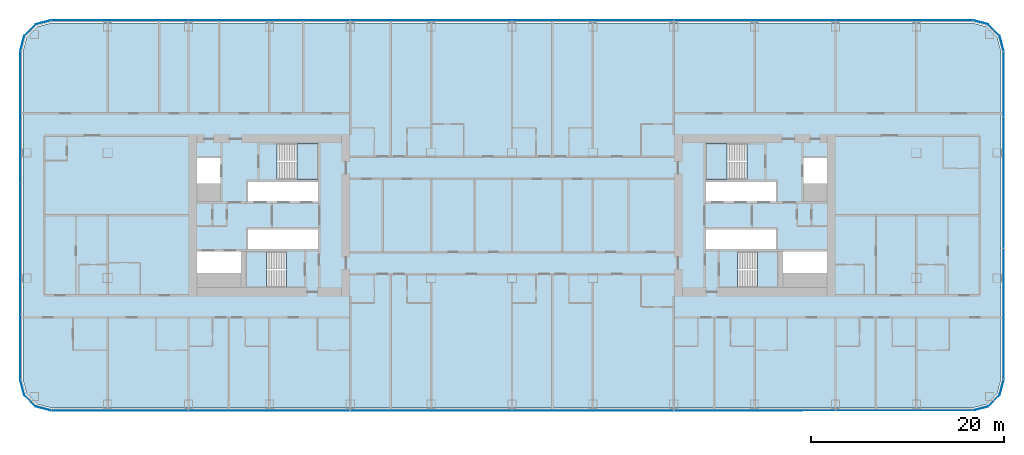
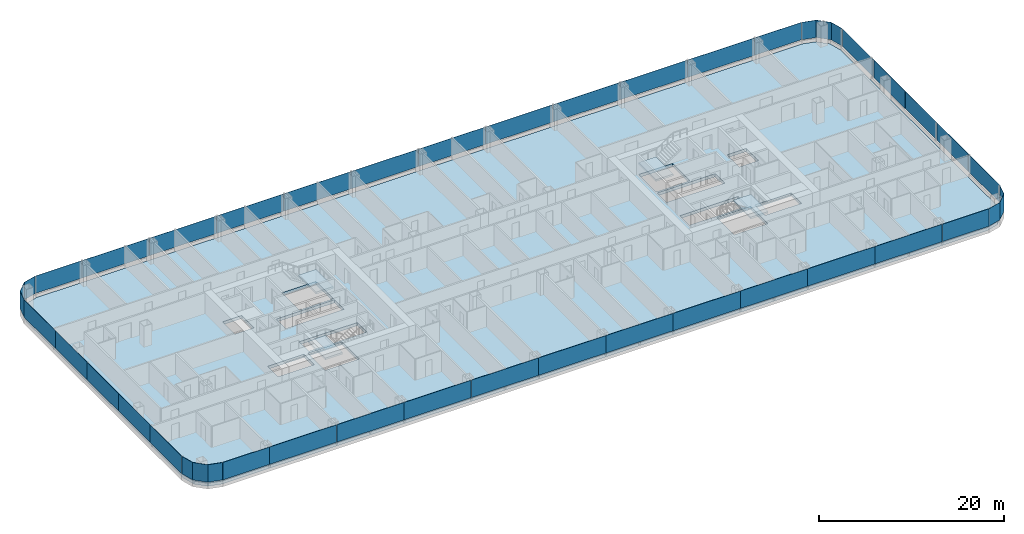
# One storey, part 12 of 29: 38 plates, 5 slabs, 12 elements without a shape of their own.
"""IFC4 building model written with IfcOpenShell, lengths in metres."""

from ifc_helpers import new_model, si_unit, direction, frame, origin, origin_2d, place, context, subcontext, project, spatial, polyline, rectangle, outline, extrude, material, layer, layer_set, type_object, element, aggregate, save


model = new_model("IFC4")

# Units and contexts
model_context = context("Model", 3, precision=1e-05, world=origin(), true_north=direction((0.0, 1.0)))
body_context = subcontext(model_context, "Body", "Model", "MODEL_VIEW")
ifc_project = project(units=[si_unit("LENGTHUNIT", "METRE"), si_unit("AREAUNIT", "SQUARE_METRE"), si_unit("VOLUMEUNIT", "CUBIC_METRE"), si_unit("PLANEANGLEUNIT", "RADIAN"), si_unit("MASSUNIT", "GRAM", prefix="KILO")], contexts=[model_context])

# Site, building, storey
site_placement = place(None, origin())
site = spatial("IfcSite", under=ifc_project, at=site_placement, CompositionType="ELEMENT")
building_placement = place(site_placement, origin())
building = spatial("IfcBuilding", under=site, at=building_placement, Name="Hakoniwa Tower and Hamabe Station Hall", CompositionType="ELEMENT")
storey_placement = place(building_placement, frame((0.0, 0.0, 29.39990234375)))
storey = spatial("IfcBuildingStorey", under=building, at=storey_placement, Name="L07", CompositionType="ELEMENT", Elevation=29.39990234375)

# Stair, slab
ifc_material_1 = material(Name="Concrete C40", Category="concrete")
stair_type = type_object("IfcStairType", Name="ESCAPE STAIR 1800", PredefinedType="HALF_TURN_STAIR", material=ifc_material_1)
stair_1_placement = place(storey_placement, origin())
stair_1 = element("IfcStair", 1, at=stair_1_placement, inside=storey, type_object=stair_type, Name="Escape stair ST-1 L07", PredefinedType="HALF_TURN_STAIR")
ifc_material_2 = material(Name="Concrete C40", Category="concrete")
ifc_layer_1 = layer(ifc_material_2, 0.25)
ifc_layer_set_1 = layer_set([ifc_layer_1], Name="CORE STAIR LANDING 250")
slab_type_1 = type_object("IfcSlabType", Name="CORE STAIR LANDING 250", PredefinedType="LANDING", material=ifc_layer_set_1)
slab_1_placement = place(storey_placement, frame((0.0, 0.0, 1.35009765625)))
slab_1 = element("IfcSlab", 2, at=slab_1_placement, type_object=slab_type_1, Name="ST-1 landing 1", PredefinedType="LANDING", context=body_context, shape_type="SweptSolid", body=[
    extrude(outline(polyline([(-22.320068359375, 3.75), (-20.14990234375, 3.75), (-20.14990234375, 7.5), (-22.320068359375, 7.5), (-22.320068359375, 3.75)])), origin(), (0.0, 0.0, 1.0), 0.25),
])
aggregate(stair_1, [slab_1])

stair_2_placement = place(storey_placement, origin())
stair_2 = element("IfcStair", 3, at=stair_2_placement, inside=storey, type_object=stair_type, Name="Escape stair ST-2 L07", PredefinedType="HALF_TURN_STAIR")
slab_2_placement = place(storey_placement, frame((0.0, 0.0, 1.35009765625)))
slab_2 = element("IfcSlab", 4, at=slab_2_placement, type_object=slab_type_1, Name="ST-2 landing 1", PredefinedType="LANDING", context=body_context, shape_type="SweptSolid", body=[
    extrude(outline(polyline([(-25.47998046875, -7.5), (-27.64990234375, -7.5), (-27.64990234375, -3.75), (-25.47998046875, -3.75), (-25.47998046875, -7.5)])), origin(), (0.0, 0.0, 1.0), 0.25),
])
aggregate(stair_2, [slab_2])

stair_3_placement = place(storey_placement, origin())
stair_3 = element("IfcStair", 5, at=stair_3_placement, inside=storey, type_object=stair_type, Name="Escape stair ST-3 L07", PredefinedType="HALF_TURN_STAIR")
slab_3_placement = place(storey_placement, frame((0.0, 0.0, 1.35009765625)))
slab_3 = element("IfcSlab", 6, at=slab_3_placement, type_object=slab_type_1, Name="ST-3 landing 1", PredefinedType="LANDING", context=body_context, shape_type="SweptSolid", body=[
    extrude(outline(polyline([(22.320068359375, 3.75), (20.14990234375, 3.75), (20.14990234375, 7.5), (22.320068359375, 7.5), (22.320068359375, 3.75)])), origin(), (0.0, 0.0, 1.0), 0.25),
])
aggregate(stair_3, [slab_3])

stair_4_placement = place(storey_placement, origin())
stair_4 = element("IfcStair", 7, at=stair_4_placement, inside=storey, type_object=stair_type, Name="Escape stair ST-4 L07", PredefinedType="HALF_TURN_STAIR")
slab_4_placement = place(storey_placement, frame((0.0, 0.0, 1.35009765625)))
slab_4 = element("IfcSlab", 8, at=slab_4_placement, type_object=slab_type_1, Name="ST-4 landing 1", PredefinedType="LANDING", context=body_context, shape_type="SweptSolid", body=[
    extrude(outline(polyline([(25.47998046875, -7.5), (27.64990234375, -7.5), (27.64990234375, -3.75), (25.47998046875, -3.75), (25.47998046875, -7.5)])), origin(), (0.0, 0.0, 1.0), 0.25),
])
aggregate(stair_4, [slab_4])

# Curtain wall, plates
ifc_material_3 = material(Name="Dark low-e laminated glass", Category="glass")
ifc_layer_2 = layer(ifc_material_3, 0.199951171875)
ifc_layer_set_2 = layer_set([ifc_layer_2], Name="CW-1 UNITISED GUEST")
curtain_wall_type = type_object("IfcCurtainWallType", Name="CW-1 UNITISED GUEST", PredefinedType="NOTDEFINED", material=ifc_layer_set_2)
curtain_wall_1_placement = place(storey_placement, origin())
curtain_wall_1 = element("IfcCurtainWall", 9, at=curtain_wall_1_placement, inside=storey, type_object=curtain_wall_type, Name="CW-1 curtain wall", PredefinedType="NOTDEFINED")
ifc_material_4 = material(Name="Dark low-e laminated glass", Category="glass")
ifc_layer_3 = layer(ifc_material_4, 0.028076171875)
ifc_layer_set_3 = layer_set([ifc_layer_3], Name="CW-1 GLASS UNIT")
plate_type = type_object("IfcPlateType", Name="CW-1 GLASS UNIT", PredefinedType="CURTAIN_PANEL", material=ifc_layer_set_3)
plate_1_placement = place(storey_placement, frame((51.0859375, -13.631591796875, 0.35009765625), z_axis=(0.0, 0.0, 1.0), x_axis=(0.0, 1.0, 0.0)))
plate_1 = element("IfcPlate", 10, at=plate_1_placement, type_object=plate_type, Name="CW-1 glass unit", PredefinedType="CURTAIN_PANEL", context=body_context, shape_type="SweptSolid", body=[
    extrude(rectangle(XDim=6.7958984375, YDim=0.028076171875, at=origin_2d()), origin(), (0.0, 0.0, 1.0), 2.300048828125),
])
plate_2_placement = place(storey_placement, frame((51.0859375, -6.81591796875, 0.35009765625), z_axis=(0.0, 0.0, 1.0), x_axis=(0.0, 1.0, 0.0)))
plate_2 = element("IfcPlate", 11, at=plate_2_placement, type_object=plate_type, Name="CW-1 glass unit", PredefinedType="CURTAIN_PANEL", context=body_context, shape_type="SweptSolid", body=[
    extrude(rectangle(XDim=6.7958984375, YDim=0.028076171875, at=origin_2d()), origin(), (0.0, 0.0, 1.0), 2.300048828125),
])
plate_3_placement = place(storey_placement, frame((51.0859375, 0.0, 0.35009765625), z_axis=(0.0, 0.0, 1.0), x_axis=(0.0, 1.0, 0.0)))
plate_3 = element("IfcPlate", 12, at=plate_3_placement, type_object=plate_type, Name="CW-1 glass unit", PredefinedType="CURTAIN_PANEL", context=body_context, shape_type="SweptSolid", body=[
    extrude(rectangle(XDim=6.7958984375, YDim=0.028076171875, at=origin_2d()), origin(), (0.0, 0.0, 1.0), 2.300048828125),
])
plate_4_placement = place(storey_placement, frame((51.0859375, 6.81591796875, 0.35009765625), z_axis=(0.0, 0.0, 1.0), x_axis=(0.0, 1.0, 0.0)))
plate_4 = element("IfcPlate", 13, at=plate_4_placement, type_object=plate_type, Name="CW-1 glass unit", PredefinedType="CURTAIN_PANEL", context=body_context, shape_type="SweptSolid", body=[
    extrude(rectangle(XDim=6.7958984375, YDim=0.028076171875, at=origin_2d()), origin(), (0.0, 0.0, 1.0), 2.300048828125),
])
plate_5_placement = place(storey_placement, frame((51.0859375, 13.631591796875, 0.35009765625), z_axis=(0.0, 0.0, 1.0), x_axis=(0.0, 1.0, 0.0)))
plate_5 = element("IfcPlate", 14, at=plate_5_placement, type_object=plate_type, Name="CW-1 glass unit", PredefinedType="CURTAIN_PANEL", context=body_context, shape_type="SweptSolid", body=[
    extrude(rectangle(XDim=6.7958984375, YDim=0.028076171875, at=origin_2d()), origin(), (0.0, 0.0, 1.0), 2.300048828125),
])
aggregate(curtain_wall_1, [plate_1, plate_2, plate_3, plate_4, plate_5])

# Curtain wall, plate
curtain_wall_2_placement = place(storey_placement, origin())
curtain_wall_2 = element("IfcCurtainWall", 15, at=curtain_wall_2_placement, inside=storey, type_object=curtain_wall_type, Name="CW-1 curtain wall", PredefinedType="NOTDEFINED")
plate_6_placement = place(storey_placement, frame((0.0, 0.0, 0.35009765625)))
plate_6 = element("IfcPlate", 16, at=plate_6_placement, type_object=plate_type, Name="CW-1 curved corner unit", PredefinedType="CURTAIN_PANEL", context=body_context, shape_type="SweptSolid", body=[
    extrude(outline(polyline([(51.089599609375, 17.078125), (50.6669921875, 18.6552734375), (49.455322265625, 19.866943359375), (47.878173828125, 20.28955078125), (47.870849609375, 20.2626953125), (49.44091796875, 19.842041015625), (50.641845703125, 18.640869140625), (51.0625, 17.07080078125), (51.089599609375, 17.078125)])), origin(), (0.0, 0.0, 1.0), 2.300048828125),
])
aggregate(curtain_wall_2, [plate_6])

# Curtain wall, plates
curtain_wall_3_placement = place(storey_placement, origin())
curtain_wall_3 = element("IfcCurtainWall", 17, at=curtain_wall_3_placement, inside=storey, type_object=curtain_wall_type, Name="CW-1 curtain wall", PredefinedType="NOTDEFINED")
plate_7_placement = place(storey_placement, frame((44.919677734375, 20.285888671875, 0.35009765625), z_axis=(0.0, 0.0, 1.0), x_axis=(-1.0, 0.0, 0.0)))
plate_7 = element("IfcPlate", 18, at=plate_7_placement, type_object=plate_type, Name="CW-1 glass unit", PredefinedType="CURTAIN_PANEL", context=body_context, shape_type="SweptSolid", body=[
    extrude(rectangle(XDim=5.819580078125, YDim=0.028076171875, at=origin_2d()), origin(), (0.0, 0.0, 1.0), 2.300048828125),
])
plate_8_placement = place(storey_placement, frame((37.800048828125, 20.285888671875, 0.35009765625), z_axis=(0.0, 0.0, 1.0), x_axis=(-1.0, 0.0, 0.0)))
plate_8 = element("IfcPlate", 19, at=plate_8_placement, type_object=plate_type, Name="CW-1 glass unit", PredefinedType="CURTAIN_PANEL", context=body_context, shape_type="SweptSolid", body=[
    extrude(rectangle(XDim=8.3798828125, YDim=0.028076171875, at=origin_2d()), origin(), (0.0, 0.0, 1.0), 2.300048828125),
])
plate_9_placement = place(storey_placement, frame((29.39990234375, 20.285888671875, 0.35009765625), z_axis=(0.0, 0.0, 1.0), x_axis=(-1.0, 0.0, 0.0)))
plate_9 = element("IfcPlate", 20, at=plate_9_placement, type_object=plate_type, Name="CW-1 glass unit", PredefinedType="CURTAIN_PANEL", context=body_context, shape_type="SweptSolid", body=[
    extrude(rectangle(XDim=8.3798828125, YDim=0.028076171875, at=origin_2d()), origin(), (0.0, 0.0, 1.0), 2.300048828125),
])
plate_10_placement = place(storey_placement, frame((21.0, 20.285888671875, 0.35009765625), z_axis=(0.0, 0.0, 1.0), x_axis=(-1.0, 0.0, 0.0)))
plate_10 = element("IfcPlate", 21, at=plate_10_placement, type_object=plate_type, Name="CW-1 glass unit", PredefinedType="CURTAIN_PANEL", context=body_context, shape_type="SweptSolid", body=[
    extrude(rectangle(XDim=8.3798828125, YDim=0.028076171875, at=origin_2d()), origin(), (0.0, 0.0, 1.0), 2.300048828125),
])
plate_11_placement = place(storey_placement, frame((12.60009765625, 20.285888671875, 0.35009765625), z_axis=(0.0, 0.0, 1.0), x_axis=(-1.0, 0.0, 0.0)))
plate_11 = element("IfcPlate", 22, at=plate_11_placement, type_object=plate_type, Name="CW-1 glass unit", PredefinedType="CURTAIN_PANEL", context=body_context, shape_type="SweptSolid", body=[
    extrude(rectangle(XDim=8.3798828125, YDim=0.028076171875, at=origin_2d()), origin(), (0.0, 0.0, 1.0), 2.300048828125),
])
plate_12_placement = place(storey_placement, frame((4.199951171875, 20.285888671875, 0.35009765625), z_axis=(0.0, 0.0, 1.0), x_axis=(-1.0, 0.0, 0.0)))
plate_12 = element("IfcPlate", 23, at=plate_12_placement, type_object=plate_type, Name="CW-1 glass unit", PredefinedType="CURTAIN_PANEL", context=body_context, shape_type="SweptSolid", body=[
    extrude(rectangle(XDim=8.3798828125, YDim=0.028076171875, at=origin_2d()), origin(), (0.0, 0.0, 1.0), 2.300048828125),
])
plate_13_placement = place(storey_placement, frame((-4.199951171875, 20.285888671875, 0.35009765625), z_axis=(0.0, 0.0, 1.0), x_axis=(-1.0, 0.0, 0.0)))
plate_13 = element("IfcPlate", 24, at=plate_13_placement, type_object=plate_type, Name="CW-1 glass unit", PredefinedType="CURTAIN_PANEL", context=body_context, shape_type="SweptSolid", body=[
    extrude(rectangle(XDim=8.3798828125, YDim=0.028076171875, at=origin_2d()), origin(), (0.0, 0.0, 1.0), 2.300048828125),
])
plate_14_placement = place(storey_placement, frame((-12.60009765625, 20.285888671875, 0.35009765625), z_axis=(0.0, 0.0, 1.0), x_axis=(-1.0, 0.0, 0.0)))
plate_14 = element("IfcPlate", 25, at=plate_14_placement, type_object=plate_type, Name="CW-1 glass unit", PredefinedType="CURTAIN_PANEL", context=body_context, shape_type="SweptSolid", body=[
    extrude(rectangle(XDim=8.3798828125, YDim=0.028076171875, at=origin_2d()), origin(), (0.0, 0.0, 1.0), 2.300048828125),
])
plate_15_placement = place(storey_placement, frame((-21.0, 20.285888671875, 0.35009765625), z_axis=(0.0, 0.0, 1.0), x_axis=(-1.0, 0.0, 0.0)))
plate_15 = element("IfcPlate", 26, at=plate_15_placement, type_object=plate_type, Name="CW-1 glass unit", PredefinedType="CURTAIN_PANEL", context=body_context, shape_type="SweptSolid", body=[
    extrude(rectangle(XDim=8.3798828125, YDim=0.028076171875, at=origin_2d()), origin(), (0.0, 0.0, 1.0), 2.300048828125),
])
plate_16_placement = place(storey_placement, frame((-29.39990234375, 20.285888671875, 0.35009765625), z_axis=(0.0, 0.0, 1.0), x_axis=(-1.0, 0.0, 0.0)))
plate_16 = element("IfcPlate", 27, at=plate_16_placement, type_object=plate_type, Name="CW-1 glass unit", PredefinedType="CURTAIN_PANEL", context=body_context, shape_type="SweptSolid", body=[
    extrude(rectangle(XDim=8.3798828125, YDim=0.028076171875, at=origin_2d()), origin(), (0.0, 0.0, 1.0), 2.300048828125),
])
plate_17_placement = place(storey_placement, frame((-37.800048828125, 20.285888671875, 0.35009765625), z_axis=(0.0, 0.0, 1.0), x_axis=(-1.0, 0.0, 0.0)))
plate_17 = element("IfcPlate", 28, at=plate_17_placement, type_object=plate_type, Name="CW-1 glass unit", PredefinedType="CURTAIN_PANEL", context=body_context, shape_type="SweptSolid", body=[
    extrude(rectangle(XDim=8.3798828125, YDim=0.028076171875, at=origin_2d()), origin(), (0.0, 0.0, 1.0), 2.300048828125),
])
plate_18_placement = place(storey_placement, frame((-44.919677734375, 20.285888671875, 0.35009765625), z_axis=(0.0, 0.0, 1.0), x_axis=(-1.0, 0.0, 0.0)))
plate_18 = element("IfcPlate", 29, at=plate_18_placement, type_object=plate_type, Name="CW-1 glass unit", PredefinedType="CURTAIN_PANEL", context=body_context, shape_type="SweptSolid", body=[
    extrude(rectangle(XDim=5.819580078125, YDim=0.028076171875, at=origin_2d()), origin(), (0.0, 0.0, 1.0), 2.300048828125),
])
aggregate(curtain_wall_3, [plate_7, plate_8, plate_9, plate_10, plate_11, plate_12, plate_13, plate_14, plate_15, plate_16, plate_17, plate_18])

# Curtain wall, plate
curtain_wall_4_placement = place(storey_placement, origin())
curtain_wall_4 = element("IfcCurtainWall", 30, at=curtain_wall_4_placement, inside=storey, type_object=curtain_wall_type, Name="CW-1 curtain wall", PredefinedType="NOTDEFINED")
plate_19_placement = place(storey_placement, frame((0.0, 0.0, 0.35009765625)))
plate_19 = element("IfcPlate", 31, at=plate_19_placement, type_object=plate_type, Name="CW-1 curved corner unit", PredefinedType="CURTAIN_PANEL", context=body_context, shape_type="SweptSolid", body=[
    extrude(outline(polyline([(-47.878173828125, 20.28955078125), (-49.455322265625, 19.866943359375), (-50.6669921875, 18.6552734375), (-51.089599609375, 17.078125), (-51.0625, 17.07080078125), (-50.641845703125, 18.640869140625), (-49.44091796875, 19.842041015625), (-47.870849609375, 20.2626953125), (-47.878173828125, 20.28955078125)])), origin(), (0.0, 0.0, 1.0), 2.300048828125),
])
aggregate(curtain_wall_4, [plate_19])

# Curtain wall, plates
curtain_wall_5_placement = place(storey_placement, origin())
curtain_wall_5 = element("IfcCurtainWall", 32, at=curtain_wall_5_placement, inside=storey, type_object=curtain_wall_type, Name="CW-1 curtain wall", PredefinedType="NOTDEFINED")
plate_20_placement = place(storey_placement, frame((-51.0859375, 13.631591796875, 0.35009765625), z_axis=(0.0, 0.0, 1.0), x_axis=(0.0, -1.0, 0.0)))
plate_20 = element("IfcPlate", 33, at=plate_20_placement, type_object=plate_type, Name="CW-1 glass unit", PredefinedType="CURTAIN_PANEL", context=body_context, shape_type="SweptSolid", body=[
    extrude(rectangle(XDim=6.7958984375, YDim=0.028076171875, at=origin_2d()), origin(), (0.0, 0.0, 1.0), 2.300048828125),
])
plate_21_placement = place(storey_placement, frame((-51.0859375, 6.81591796875, 0.35009765625), z_axis=(0.0, 0.0, 1.0), x_axis=(0.0, -1.0, 0.0)))
plate_21 = element("IfcPlate", 34, at=plate_21_placement, type_object=plate_type, Name="CW-1 glass unit", PredefinedType="CURTAIN_PANEL", context=body_context, shape_type="SweptSolid", body=[
    extrude(rectangle(XDim=6.7958984375, YDim=0.028076171875, at=origin_2d()), origin(), (0.0, 0.0, 1.0), 2.300048828125),
])
plate_22_placement = place(storey_placement, frame((-51.0859375, 0.0, 0.35009765625), z_axis=(0.0, 0.0, 1.0), x_axis=(0.0, -1.0, 0.0)))
plate_22 = element("IfcPlate", 35, at=plate_22_placement, type_object=plate_type, Name="CW-1 glass unit", PredefinedType="CURTAIN_PANEL", context=body_context, shape_type="SweptSolid", body=[
    extrude(rectangle(XDim=6.7958984375, YDim=0.028076171875, at=origin_2d()), origin(), (0.0, 0.0, 1.0), 2.300048828125),
])
plate_23_placement = place(storey_placement, frame((-51.0859375, -6.81591796875, 0.35009765625), z_axis=(0.0, 0.0, 1.0), x_axis=(0.0, -1.0, 0.0)))
plate_23 = element("IfcPlate", 36, at=plate_23_placement, type_object=plate_type, Name="CW-1 glass unit", PredefinedType="CURTAIN_PANEL", context=body_context, shape_type="SweptSolid", body=[
    extrude(rectangle(XDim=6.7958984375, YDim=0.028076171875, at=origin_2d()), origin(), (0.0, 0.0, 1.0), 2.300048828125),
])
plate_24_placement = place(storey_placement, frame((-51.0859375, -13.631591796875, 0.35009765625), z_axis=(0.0, 0.0, 1.0), x_axis=(0.0, -1.0, 0.0)))
plate_24 = element("IfcPlate", 37, at=plate_24_placement, type_object=plate_type, Name="CW-1 glass unit", PredefinedType="CURTAIN_PANEL", context=body_context, shape_type="SweptSolid", body=[
    extrude(rectangle(XDim=6.7958984375, YDim=0.028076171875, at=origin_2d()), origin(), (0.0, 0.0, 1.0), 2.300048828125),
])
aggregate(curtain_wall_5, [plate_20, plate_21, plate_22, plate_23, plate_24])

# Curtain wall, plate
curtain_wall_6_placement = place(storey_placement, origin())
curtain_wall_6 = element("IfcCurtainWall", 38, at=curtain_wall_6_placement, inside=storey, type_object=curtain_wall_type, Name="CW-1 curtain wall", PredefinedType="NOTDEFINED")
plate_25_placement = place(storey_placement, frame((0.0, 0.0, 0.35009765625)))
plate_25 = element("IfcPlate", 39, at=plate_25_placement, type_object=plate_type, Name="CW-1 curved corner unit", PredefinedType="CURTAIN_PANEL", context=body_context, shape_type="SweptSolid", body=[
    extrude(outline(polyline([(-51.089599609375, -17.078125), (-50.6669921875, -18.6552734375), (-49.455322265625, -19.866943359375), (-47.878173828125, -20.28955078125), (-47.870849609375, -20.2626953125), (-49.44091796875, -19.842041015625), (-50.641845703125, -18.640869140625), (-51.0625, -17.07080078125), (-51.089599609375, -17.078125)])), origin(), (0.0, 0.0, 1.0), 2.300048828125),
])
aggregate(curtain_wall_6, [plate_25])

# Curtain wall, plates
curtain_wall_7_placement = place(storey_placement, origin())
curtain_wall_7 = element("IfcCurtainWall", 40, at=curtain_wall_7_placement, inside=storey, type_object=curtain_wall_type, Name="CW-1 curtain wall", PredefinedType="NOTDEFINED")
plate_26_placement = place(storey_placement, frame((-44.919677734375, -20.285888671875, 0.35009765625), z_axis=(0.0, 0.0, 1.0), x_axis=(1.0, 0.0, 0.0)))
plate_26 = element("IfcPlate", 41, at=plate_26_placement, type_object=plate_type, Name="CW-1 glass unit", PredefinedType="CURTAIN_PANEL", context=body_context, shape_type="SweptSolid", body=[
    extrude(rectangle(XDim=5.819580078125, YDim=0.028076171875, at=origin_2d()), origin(), (0.0, 0.0, 1.0), 2.300048828125),
])
plate_27_placement = place(storey_placement, frame((-37.800048828125, -20.285888671875, 0.35009765625), z_axis=(0.0, 0.0, 1.0), x_axis=(1.0, 0.0, 0.0)))
plate_27 = element("IfcPlate", 42, at=plate_27_placement, type_object=plate_type, Name="CW-1 glass unit", PredefinedType="CURTAIN_PANEL", context=body_context, shape_type="SweptSolid", body=[
    extrude(rectangle(XDim=8.3798828125, YDim=0.028076171875, at=origin_2d()), origin(), (0.0, 0.0, 1.0), 2.300048828125),
])
plate_28_placement = place(storey_placement, frame((-29.39990234375, -20.285888671875, 0.35009765625), z_axis=(0.0, 0.0, 1.0), x_axis=(1.0, 0.0, 0.0)))
plate_28 = element("IfcPlate", 43, at=plate_28_placement, type_object=plate_type, Name="CW-1 glass unit", PredefinedType="CURTAIN_PANEL", context=body_context, shape_type="SweptSolid", body=[
    extrude(rectangle(XDim=8.3798828125, YDim=0.028076171875, at=origin_2d()), origin(), (0.0, 0.0, 1.0), 2.300048828125),
])
plate_29_placement = place(storey_placement, frame((-21.0, -20.285888671875, 0.35009765625), z_axis=(0.0, 0.0, 1.0), x_axis=(1.0, 0.0, 0.0)))
plate_29 = element("IfcPlate", 44, at=plate_29_placement, type_object=plate_type, Name="CW-1 glass unit", PredefinedType="CURTAIN_PANEL", context=body_context, shape_type="SweptSolid", body=[
    extrude(rectangle(XDim=8.3798828125, YDim=0.028076171875, at=origin_2d()), origin(), (0.0, 0.0, 1.0), 2.300048828125),
])
plate_30_placement = place(storey_placement, frame((-12.60009765625, -20.285888671875, 0.35009765625), z_axis=(0.0, 0.0, 1.0), x_axis=(1.0, 0.0, 0.0)))
plate_30 = element("IfcPlate", 45, at=plate_30_placement, type_object=plate_type, Name="CW-1 glass unit", PredefinedType="CURTAIN_PANEL", context=body_context, shape_type="SweptSolid", body=[
    extrude(rectangle(XDim=8.3798828125, YDim=0.028076171875, at=origin_2d()), origin(), (0.0, 0.0, 1.0), 2.300048828125),
])
plate_31_placement = place(storey_placement, frame((-4.199951171875, -20.285888671875, 0.35009765625), z_axis=(0.0, 0.0, 1.0), x_axis=(1.0, 0.0, 0.0)))
plate_31 = element("IfcPlate", 46, at=plate_31_placement, type_object=plate_type, Name="CW-1 glass unit", PredefinedType="CURTAIN_PANEL", context=body_context, shape_type="SweptSolid", body=[
    extrude(rectangle(XDim=8.3798828125, YDim=0.028076171875, at=origin_2d()), origin(), (0.0, 0.0, 1.0), 2.300048828125),
])
plate_32_placement = place(storey_placement, frame((4.199951171875, -20.285888671875, 0.35009765625), z_axis=(0.0, 0.0, 1.0), x_axis=(1.0, 0.0, 0.0)))
plate_32 = element("IfcPlate", 47, at=plate_32_placement, type_object=plate_type, Name="CW-1 glass unit", PredefinedType="CURTAIN_PANEL", context=body_context, shape_type="SweptSolid", body=[
    extrude(rectangle(XDim=8.3798828125, YDim=0.028076171875, at=origin_2d()), origin(), (0.0, 0.0, 1.0), 2.300048828125),
])
plate_33_placement = place(storey_placement, frame((12.60009765625, -20.285888671875, 0.35009765625), z_axis=(0.0, 0.0, 1.0), x_axis=(1.0, 0.0, 0.0)))
plate_33 = element("IfcPlate", 48, at=plate_33_placement, type_object=plate_type, Name="CW-1 glass unit", PredefinedType="CURTAIN_PANEL", context=body_context, shape_type="SweptSolid", body=[
    extrude(rectangle(XDim=8.3798828125, YDim=0.028076171875, at=origin_2d()), origin(), (0.0, 0.0, 1.0), 2.300048828125),
])
plate_34_placement = place(storey_placement, frame((21.0, -20.285888671875, 0.35009765625), z_axis=(0.0, 0.0, 1.0), x_axis=(1.0, 0.0, 0.0)))
plate_34 = element("IfcPlate", 49, at=plate_34_placement, type_object=plate_type, Name="CW-1 glass unit", PredefinedType="CURTAIN_PANEL", context=body_context, shape_type="SweptSolid", body=[
    extrude(rectangle(XDim=8.3798828125, YDim=0.028076171875, at=origin_2d()), origin(), (0.0, 0.0, 1.0), 2.300048828125),
])
plate_35_placement = place(storey_placement, frame((29.39990234375, -20.285888671875, 0.35009765625), z_axis=(0.0, 0.0, 1.0), x_axis=(1.0, 0.0, 0.0)))
plate_35 = element("IfcPlate", 50, at=plate_35_placement, type_object=plate_type, Name="CW-1 glass unit", PredefinedType="CURTAIN_PANEL", context=body_context, shape_type="SweptSolid", body=[
    extrude(rectangle(XDim=8.3798828125, YDim=0.028076171875, at=origin_2d()), origin(), (0.0, 0.0, 1.0), 2.300048828125),
])
plate_36_placement = place(storey_placement, frame((37.800048828125, -20.285888671875, 0.35009765625), z_axis=(0.0, 0.0, 1.0), x_axis=(1.0, 0.0, 0.0)))
plate_36 = element("IfcPlate", 51, at=plate_36_placement, type_object=plate_type, Name="CW-1 glass unit", PredefinedType="CURTAIN_PANEL", context=body_context, shape_type="SweptSolid", body=[
    extrude(rectangle(XDim=8.3798828125, YDim=0.028076171875, at=origin_2d()), origin(), (0.0, 0.0, 1.0), 2.300048828125),
])
plate_37_placement = place(storey_placement, frame((44.919677734375, -20.285888671875, 0.35009765625), z_axis=(0.0, 0.0, 1.0), x_axis=(1.0, 0.0, 0.0)))
plate_37 = element("IfcPlate", 52, at=plate_37_placement, type_object=plate_type, Name="CW-1 glass unit", PredefinedType="CURTAIN_PANEL", context=body_context, shape_type="SweptSolid", body=[
    extrude(rectangle(XDim=5.819580078125, YDim=0.028076171875, at=origin_2d()), origin(), (0.0, 0.0, 1.0), 2.300048828125),
])
aggregate(curtain_wall_7, [plate_26, plate_27, plate_28, plate_29, plate_30, plate_31, plate_32, plate_33, plate_34, plate_35, plate_36, plate_37])

# Curtain wall, plate
curtain_wall_8_placement = place(storey_placement, origin())
curtain_wall_8 = element("IfcCurtainWall", 53, at=curtain_wall_8_placement, inside=storey, type_object=curtain_wall_type, Name="CW-1 curtain wall", PredefinedType="NOTDEFINED")
plate_38_placement = place(storey_placement, frame((0.0, 0.0, 0.35009765625)))
plate_38 = element("IfcPlate", 54, at=plate_38_placement, type_object=plate_type, Name="CW-1 curved corner unit", PredefinedType="CURTAIN_PANEL", context=body_context, shape_type="SweptSolid", body=[
    extrude(outline(polyline([(47.878173828125, -20.28955078125), (49.455322265625, -19.866943359375), (50.6669921875, -18.6552734375), (51.089599609375, -17.078125), (51.0625, -17.07080078125), (50.641845703125, -18.640869140625), (49.44091796875, -19.842041015625), (47.870849609375, -20.2626953125), (47.878173828125, -20.28955078125)])), origin(), (0.0, 0.0, 1.0), 2.300048828125),
])
aggregate(curtain_wall_8, [plate_38])

# Slab
ifc_material_5 = material(Name="Concrete C42", Category="concrete")
ifc_layer_4 = layer(ifc_material_5, 0.39990234375)
ifc_layer_set_4 = layer_set([ifc_layer_4], Name="PT FLAT PLATE 400")
slab_type_2 = type_object("IfcSlabType", Name="PT FLAT PLATE 400", PredefinedType="FLOOR", material=ifc_layer_set_4)
slab_5_placement = place(storey_placement, frame((0.0, 0.0, -0.39990234375)))
element("IfcSlab", 55, at=slab_5_placement, inside=storey, type_object=slab_type_2, Name="Floor slab L07", PredefinedType="FLOOR", context=body_context, shape_type="SweptSolid", body=[
    extrude(outline(polyline([(50.800048828125, -17.0), (50.800048828125, 17.0), (50.398193359375, 18.5), (49.300048828125, 19.59814453125), (47.800048828125, 20.0), (-47.800048828125, 20.0), (-49.300048828125, 19.59814453125), (-50.398193359375, 18.5), (-50.800048828125, 17.0), (-50.800048828125, -17.0), (-50.398193359375, -18.5), (-49.300048828125, -19.59814453125), (-47.800048828125, -20.0), (47.800048828125, -20.0), (49.300048828125, -19.59814453125), (50.398193359375, -18.5), (50.800048828125, -17.0)]), holes=[polyline([(-27.39990234375, 1.449951171875), (-27.39990234375, 3.5), (-20.14990234375, 3.5), (-20.14990234375, 1.449951171875), (-27.39990234375, 1.449951171875)]), polyline([(-27.39990234375, -3.5), (-27.39990234375, -1.449951171875), (-20.14990234375, -1.449951171875), (-20.14990234375, -3.5), (-27.39990234375, -3.5)]), polyline([(-32.699951171875, 3.300048828125), (-32.699951171875, 5.949951171875), (-30.300048828125, 5.949951171875), (-30.300048828125, 3.300048828125), (-32.699951171875, 3.300048828125)]), polyline([(-32.699951171875, -6.0), (-32.699951171875, -3.75), (-28.14990234375, -3.75), (-28.14990234375, -6.0), (-32.699951171875, -6.0)]), polyline([(-24.389892578125, 3.75), (-24.389892578125, 7.5), (-20.14990234375, 7.5), (-20.14990234375, 3.75), (-24.389892578125, 3.75)]), polyline([(-27.64990234375, -7.5), (-27.64990234375, -3.75), (-23.409912109375, -3.75), (-23.409912109375, -7.5), (-27.64990234375, -7.5)]), polyline([(20.14990234375, 1.449951171875), (20.14990234375, 3.5), (27.39990234375, 3.5), (27.39990234375, 1.449951171875), (20.14990234375, 1.449951171875)]), polyline([(20.14990234375, -3.5), (20.14990234375, -1.449951171875), (27.39990234375, -1.449951171875), (27.39990234375, -3.5), (20.14990234375, -3.5)]), polyline([(30.300048828125, 3.300048828125), (30.300048828125, 5.949951171875), (32.699951171875, 5.949951171875), (32.699951171875, 3.300048828125), (30.300048828125, 3.300048828125)]), polyline([(28.14990234375, -6.0), (28.14990234375, -3.75), (32.699951171875, -3.75), (32.699951171875, -6.0), (28.14990234375, -6.0)]), polyline([(20.14990234375, 3.75), (20.14990234375, 7.5), (24.389892578125, 7.5), (24.389892578125, 3.75), (20.14990234375, 3.75)]), polyline([(23.409912109375, -7.5), (23.409912109375, -3.75), (27.64990234375, -3.75), (27.64990234375, -7.5), (23.409912109375, -7.5)])]), origin(), (0.0, 0.0, 1.0), 0.39990234375),
])

save(model, "model.ifc")
